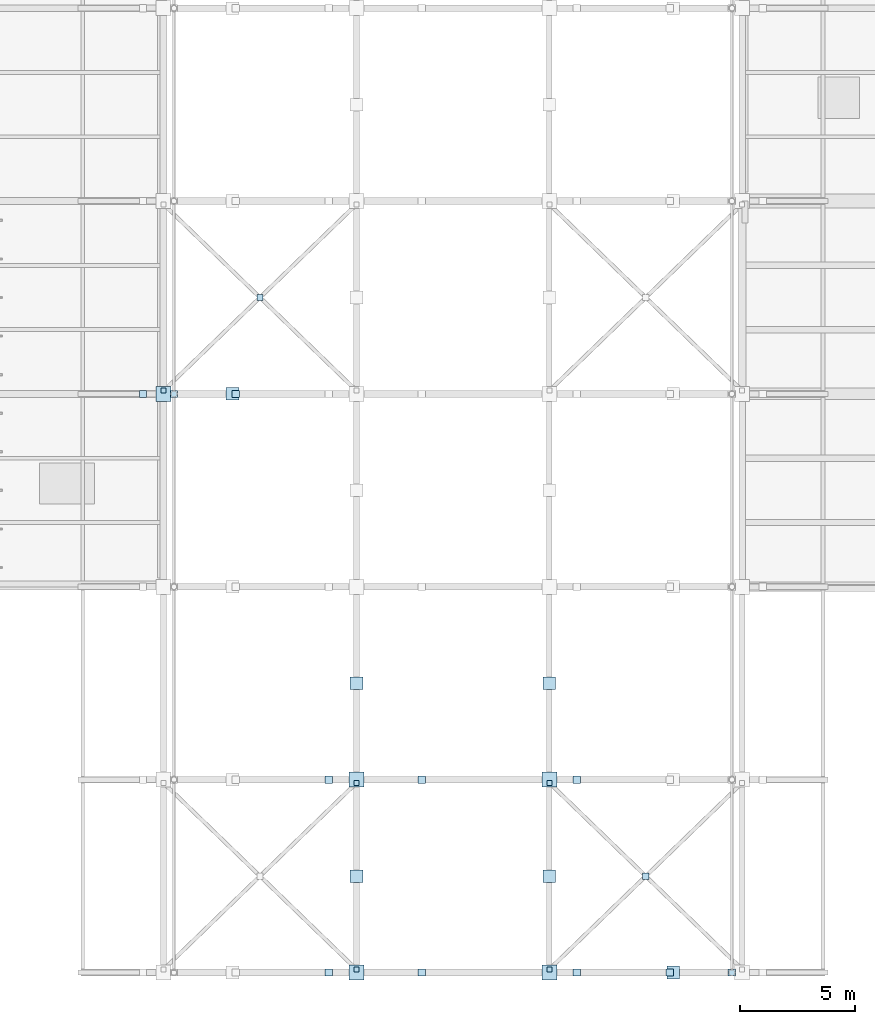
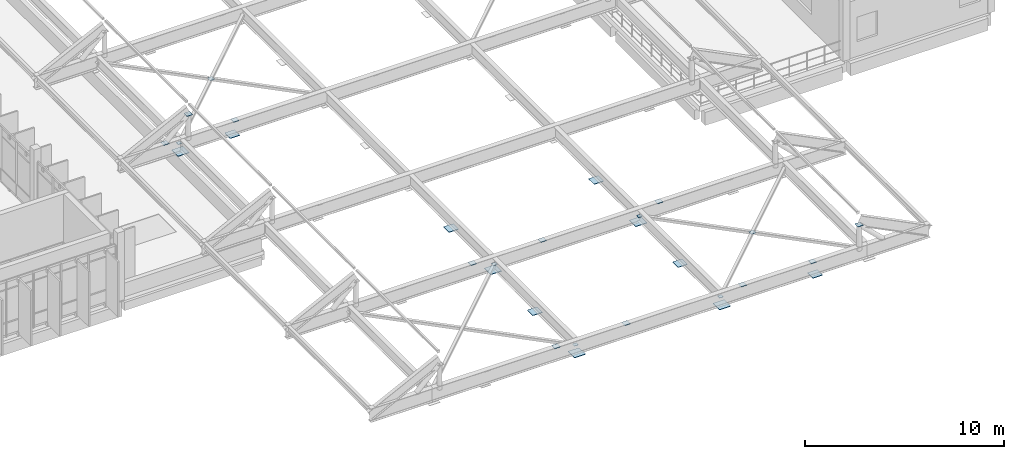
# One storey, part 29 of 41: 29 plates.
"""IFC4 building model written with IfcOpenShell, lengths in metres."""

from ifc_helpers import new_model, si_unit, direction, frame, origin, origin_2d, place, context, subcontext, project, spatial, rectangle, extrude, material, layer, layer_set, type_object, element, save


model = new_model("IFC4")

# Units and contexts
model_context = context("Model", 3, precision=1e-05, world=origin(), true_north=direction((0.0, 1.0)))
body_context = subcontext(model_context, "Body", "Model", "MODEL_VIEW")
ifc_project = project(units=[si_unit("LENGTHUNIT", "METRE"), si_unit("AREAUNIT", "SQUARE_METRE"), si_unit("VOLUMEUNIT", "CUBIC_METRE"), si_unit("PLANEANGLEUNIT", "RADIAN"), si_unit("MASSUNIT", "GRAM", prefix="KILO")], contexts=[model_context])

# Site, building, storey
site_placement = place(None, origin())
site = spatial("IfcSite", under=ifc_project, at=site_placement, CompositionType="ELEMENT")
building_placement = place(site_placement, origin())
building = spatial("IfcBuilding", under=site, at=building_placement, Name="Vireocrest Preparatory School", CompositionType="ELEMENT")
storey_placement = place(building_placement, frame((0.0, 0.0, 21.60009765625)))
storey = spatial("IfcBuildingStorey", under=building, at=storey_placement, Name="L05", CompositionType="ELEMENT", Elevation=21.60009765625)

# Plates
ifc_material = material(Name="Structural steel ASTM A572 Grade 50", Category="steel")
ifc_layer_1 = layer(ifc_material, 0.028076171875)
ifc_layer_set_1 = layer_set([ifc_layer_1], Name="Structural steel ASTM A572 Grade 50")
plate_type_1 = type_object("IfcPlateType", Name="Canopy Girder Upper Steel Node Plate 28", PredefinedType="SHEET", material=ifc_layer_set_1)
for number, where, z_axis, x_axis, name in (
    (1, (84.0, 27.0, 0.9716796875), (0.0, 0.0, 1.0), (1.0, 0.0, 0.0), "Node VN2 Canopy Girder Bearing Plate W1-A2"),
    (2, (75.60009765625, 27.0, 0.9716796875), (0.0, 0.0, 1.0), (1.0, 0.0, 0.0), "Node VN2 Canopy Girder Bearing Plate E1-A1"),
):
    element("IfcPlate", number, at=place(storey_placement, frame(where, z_axis=z_axis, x_axis=x_axis)), inside=storey, type_object=plate_type_1, Name=name, PredefinedType="SHEET", context=body_context, shape_type="SweptSolid", body=[
        extrude(rectangle(XDim=0.64990234375, YDim=0.64990234375, at=origin_2d()), origin(), (0.0, 0.0, 1.0), 0.028076171875),
    ])
plate_1_placement = place(storey_placement, frame((89.39990234375, 27.0, 0.9716796875), z_axis=(0.0, 0.0, 1.0), x_axis=(1.0, 0.0, 0.0)))
element("IfcPlate", 3, at=plate_1_placement, inside=storey, type_object=plate_type_1, Name="Node VN2 Secondary Strut Bearing Plate E1", PredefinedType="SHEET", context=body_context, shape_type="SweptSolid", body=[
    extrude(rectangle(XDim=0.550048828125, YDim=0.550048828125, at=origin_2d()), origin(), (0.0, 0.0, 1.0), 0.028076171875),
])
for number, where, z_axis, x_axis, name in (
    (4, (84.0, 35.39990234375, 0.9716796875), (0.0, 0.0, 1.0), (1.0, 0.0, 0.0), "Node VN2 Canopy Girder Bearing Plate W2-A2"),
    (5, (75.60009765625, 35.39990234375, 0.9716796875), (0.0, 0.0, 1.0), (1.0, 0.0, 0.0), "Node VN2 Canopy Girder Bearing Plate E2-A1"),
    (6, (67.199951171875, 52.199951171875, 0.9716796875), (0.0, 0.0, 1.0), (1.0, 0.0, 0.0), "Node VN2 Canopy Girder Bearing Plate W4-A1"),
):
    element("IfcPlate", number, at=place(storey_placement, frame(where, z_axis=z_axis, x_axis=x_axis)), inside=storey, type_object=plate_type_1, Name=name, PredefinedType="SHEET", context=body_context, shape_type="SweptSolid", body=[
        extrude(rectangle(XDim=0.64990234375, YDim=0.64990234375, at=origin_2d()), origin(), (0.0, 0.0, 1.0), 0.028076171875),
    ])
for number, where, z_axis, x_axis, name in (
    (7, (70.199951171875, 52.199951171875, 0.9716796875), (0.0, 0.0, 1.0), (1.0, 0.0, 0.0), "Node VN2 Secondary Strut Bearing Plate W4"),
    (8, (75.60009765625, 31.199951171875, 0.9716796875), (0.0, 0.0, 1.0), (1.0, 0.0, 0.0), "Node VN2 Spine Strut Cap W1"),
    (9, (84.0, 31.199951171875, 0.9716796875), (0.0, 0.0, 1.0), (1.0, 0.0, 0.0), "Node VN2 Spine Strut Cap E1"),
    (10, (75.60009765625, 39.60009765625, 0.9716796875), (0.0, 0.0, 1.0), (1.0, 0.0, 0.0), "Node VN2 Spine Strut Cap W2"),
    (11, (84.0, 39.60009765625, 0.9716796875), (0.0, 0.0, 1.0), (1.0, 0.0, 0.0), "Node VN2 Spine Strut Cap E2"),
):
    element("IfcPlate", number, at=place(storey_placement, frame(where, z_axis=z_axis, x_axis=x_axis)), inside=storey, type_object=plate_type_1, Name=name, PredefinedType="SHEET", context=body_context, shape_type="SweptSolid", body=[
        extrude(rectangle(XDim=0.550048828125, YDim=0.550048828125, at=origin_2d()), origin(), (0.0, 0.0, 1.0), 0.028076171875),
    ])
ifc_layer_2 = layer(ifc_material, 0.02001953125)
ifc_layer_set_2 = layer_set([ifc_layer_2], Name="Structural steel ASTM A572 Grade 50")
plate_type_2 = type_object("IfcPlateType", Name="Hollow Section Steel End Cap Plate 20", PredefinedType="SHEET", material=ifc_layer_set_2)
for number, where, z_axis, x_axis, name in (
    (12, (74.39990234375, 27.0, 1.804931640625), (0.0, 0.0, 1.0), (1.0, 0.0, 0.0), "Canopy Web Cap CP1-1-3B"),
    (13, (78.449951171875, 27.0, 1.804931640625), (0.0, 0.0, 1.0), (1.0, 0.0, 0.0), "Canopy Web Cap CP1-1-4B"),
    (14, (85.199951171875, 27.0, 1.804931640625), (0.0, 0.0, 1.0), (1.0, 0.0, 0.0), "Canopy Web Cap CP1-1-5B"),
    (15, (89.25, 27.0, 1.804931640625), (0.0, 0.0, 1.0), (1.0, 0.0, 0.0), "Canopy Web Cap CP1-1-6B"),
    (16, (91.949951171875, 27.0, 3.10791015625), (0.0, 0.0, 1.0), (1.0, 0.0, 0.0), "Canopy Web Cap CP1-1-7T"),
    (17, (74.39990234375, 35.39990234375, 1.804931640625), (0.0, 0.0, 1.0), (1.0, 0.0, 0.0), "Canopy Web Cap CP1-2-3B"),
    (18, (78.449951171875, 35.39990234375, 1.804931640625), (0.0, 0.0, 1.0), (1.0, 0.0, 0.0), "Canopy Web Cap CP1-2-4B"),
    (19, (85.199951171875, 35.39990234375, 1.804931640625), (0.0, 0.0, 1.0), (1.0, 0.0, 0.0), "Canopy Web Cap CP1-2-5B"),
    (20, (66.300048828125, 52.199951171875, 1.804931640625), (0.0, 0.0, 1.0), (1.0, 0.0, 0.0), "Canopy Web Cap CP1-4-1B"),
    (21, (67.64990234375, 52.199951171875, 3.10791015625), (0.0, 0.0, 1.0), (1.0, 0.0, 0.0), "Canopy Web Cap CP1-4-1T"),
    (22, (70.35009765625, 52.199951171875, 1.804931640625), (0.0, 0.0, 1.0), (1.0, 0.0, 0.0), "Canopy Web Cap CP1-4-2B"),
):
    element("IfcPlate", number, at=place(storey_placement, frame(where, z_axis=z_axis, x_axis=x_axis)), inside=storey, type_object=plate_type_2, Name=name, PredefinedType="SHEET", context=body_context, shape_type="SweptSolid", body=[
        extrude(rectangle(XDim=0.320068359375, YDim=0.320068359375, at=origin_2d()), origin(), (0.0, 0.0, 1.0), 0.02001953125),
    ])
for number, where, z_axis, x_axis, name in (
    (23, (75.60009765625, 35.260009765625, 1.407470703125), (0.0, 0.0, 1.0), (1.0, 0.0, 0.0), "Canopy Brace Cap CP1-1-WB"),
    (24, (75.60009765625, 27.139892578125, 1.407470703125), (0.0, 0.0, 1.0), (1.0, 0.0, 0.0), "Canopy Brace Cap CP1-1-WD"),
    (25, (84.0, 27.139892578125, 1.407470703125), (0.0, 0.0, 1.0), (1.0, 0.0, 0.0), "Canopy Brace Cap CP1-1-EA"),
):
    element("IfcPlate", number, at=place(storey_placement, frame(where, z_axis=z_axis, x_axis=x_axis)), inside=storey, type_object=plate_type_2, Name=name, PredefinedType="SHEET", context=body_context, shape_type="SweptSolid", body=[
        extrude(rectangle(XDim=0.219970703125, YDim=0.219970703125, at=origin_2d()), origin(), (0.0, 0.0, 1.0), 0.02001953125),
    ])
plate_2_placement = place(storey_placement, frame((88.199951171875, 31.199951171875, 1.407470703125), z_axis=(0.0, 0.0, 1.0), x_axis=(1.0, 0.0, 0.0)))
element("IfcPlate", 26, at=plate_2_placement, inside=storey, type_object=plate_type_2, Name="Canopy X-Brace Crossing Gusset CP1-1-E", PredefinedType="SHEET", context=body_context, shape_type="SweptSolid", body=[
    extrude(rectangle(XDim=0.280029296875, YDim=0.280029296875, at=origin_2d()), origin(), (0.0, 0.0, 1.0), 0.02001953125),
])
for number, where, z_axis, x_axis, name in (
    (27, (84.0, 35.260009765625, 1.407470703125), (0.0, 0.0, 1.0), (1.0, 0.0, 0.0), "Canopy Brace Cap CP1-1-EC"),
    (28, (67.199951171875, 52.340087890625, 1.407470703125), (0.0, 0.0, 1.0), (1.0, 0.0, 0.0), "Canopy Brace Cap CP1-4-WA"),
):
    element("IfcPlate", number, at=place(storey_placement, frame(where, z_axis=z_axis, x_axis=x_axis)), inside=storey, type_object=plate_type_2, Name=name, PredefinedType="SHEET", context=body_context, shape_type="SweptSolid", body=[
        extrude(rectangle(XDim=0.219970703125, YDim=0.219970703125, at=origin_2d()), origin(), (0.0, 0.0, 1.0), 0.02001953125),
    ])
plate_3_placement = place(storey_placement, frame((71.39990234375, 56.39990234375, 1.407470703125), z_axis=(0.0, 0.0, 1.0), x_axis=(1.0, 0.0, 0.0)))
element("IfcPlate", 29, at=plate_3_placement, inside=storey, type_object=plate_type_2, Name="Canopy X-Brace Crossing Gusset CP1-4-W", PredefinedType="SHEET", context=body_context, shape_type="SweptSolid", body=[
    extrude(rectangle(XDim=0.280029296875, YDim=0.280029296875, at=origin_2d()), origin(), (0.0, 0.0, 1.0), 0.02001953125),
])

save(model, "model.ifc")
